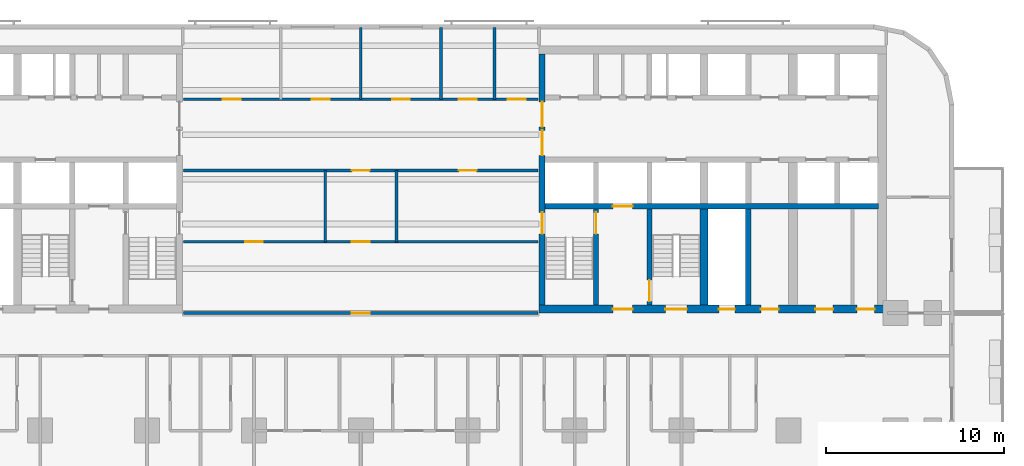
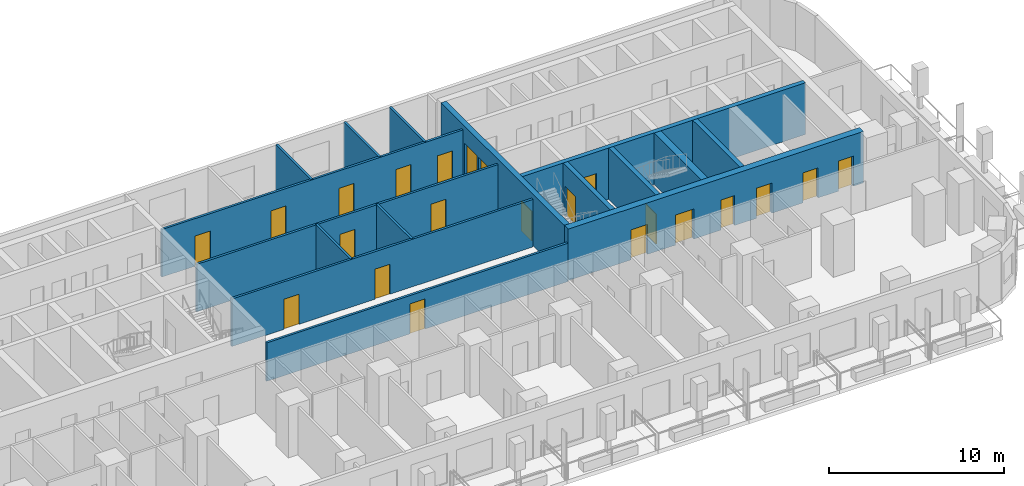
# One storey, part 6 of 13: 22 doors, 16 walls, 22 openings.
"""IFC4 building model written with IfcOpenShell, lengths in metres."""

from ifc_helpers import new_model, si_unit, direction, frame, frame_2d, origin, place, context, subcontext, project, spatial, rectangle, extrude, material, layer, layer_set, type_object, element, fill, save


model = new_model("IFC4")

# Units and contexts
model_context = context("Model", 3, precision=1e-05, world=origin(), true_north=direction((0.0, 1.0)))
body_context = subcontext(model_context, "Body", "Model", "MODEL_VIEW")
ifc_project = project(units=[si_unit("LENGTHUNIT", "METRE"), si_unit("AREAUNIT", "SQUARE_METRE"), si_unit("VOLUMEUNIT", "CUBIC_METRE"), si_unit("PLANEANGLEUNIT", "RADIAN"), si_unit("MASSUNIT", "GRAM", prefix="KILO")], contexts=[model_context])

# Site, building, storey
site_placement = place(None, origin())
site = spatial("IfcSite", under=ifc_project, at=site_placement, CompositionType="ELEMENT")
building_placement = place(site_placement, origin())
building = spatial("IfcBuilding", under=site, at=building_placement, Name="Torana Hotel and Residences", CompositionType="ELEMENT")
storey_placement = place(building_placement, frame((0.0, 0.0, 81.60009765625)))
storey = spatial("IfcBuildingStorey", under=building, at=storey_placement, Name="L20", CompositionType="ELEMENT", Elevation=81.60009765625)

# Wall, opening, door
ifc_material_1 = material(Name="Concrete C80/95", Category="concrete")
ifc_layer_1 = layer(ifc_material_1, 0.300048828125)
ifc_layer_set_1 = layer_set([ifc_layer_1], Name="CORE WALL 300 C80/95")
wall_type_1 = type_object("IfcWallType", Name="CORE WALL 300 C80/95", PredefinedType="SHEAR", material=ifc_layer_set_1)
wall_1_placement = place(storey_placement, frame((10.35009765625, -9.0, 0.0), z_axis=(0.0, 0.0, 1.0), x_axis=(1.0, 0.0, 0.0)))
wall_1 = element("IfcWall", 1, at=wall_1_placement, inside=storey, type_object=wall_type_1, Name="Core wall E band", PredefinedType="SHEAR", context=body_context, shape_type="SweptSolid", body=[
    extrude(rectangle(XDim=18.699951171875, YDim=0.300048828125, at=frame_2d((9.35009765625, 0.0))), origin(), (0.0, 0.0, 1.0), 3.599853515625),
])
opening_1_placement = place(wall_1_placement, frame((3.800048828125, 0.0, 0.0)))
opening_1 = element("IfcOpeningElement", 2, at=opening_1_placement, cuts=wall_1, Name="Opening LD", PredefinedType="OPENING", context=body_context, shape_type="SweptSolid", body=[
    extrude(rectangle(XDim=1.10009765625, YDim=2.10009765625, at=frame_2d((0.550048828125, 1.050048828125))), frame((0.0, 0.159912109375, 0.0), z_axis=(0.0, -1.0, 0.0), x_axis=(1.0, 0.0, 0.0)), (0.0, 0.0, 1.0), 0.320068359375),
])
ifc_material_2 = material(Name="Stainless steel 316", Category="steel")
door_type_1 = type_object("IfcDoorType", Name="LIFT LANDING DOOR LD 1100x2100", OperationType="DOUBLE_DOOR_SLIDING", PredefinedType="USERDEFINED", material=ifc_material_2)
door_1_placement = place(opening_1_placement, origin())
door_1 = element("IfcDoor", 3, at=door_1_placement, inside=storey, type_object=door_type_1, Name="Lift landing door FF2 L20", ObjectType="LIFT LANDING DOOR", OperationType="DOUBLE_DOOR_SLIDING", OverallHeight=2.10009765625, OverallWidth=1.10009765625, PredefinedType="USERDEFINED", context=body_context, shape_type="SweptSolid", body=[
    extrude(rectangle(XDim=1.10009765625, YDim=2.10009765625, at=frame_2d((0.550048828125, 1.050048828125))), frame((0.0, 0.02490234375, 0.0), z_axis=(0.0, -1.0, 0.0), x_axis=(1.0, 0.0, 0.0)), (0.0, 0.0, 1.0), 0.050048828125),
])
fill(opening_1, door_1)

wall_2_placement = place(storey_placement, frame((13.199951171875, -14.550048828125, 0.0), z_axis=(0.0, 0.0, 1.0), x_axis=(0.0, 1.0, 0.0)))
wall_2 = element("IfcWall", 4, at=wall_2_placement, inside=storey, type_object=wall_type_1, Name="Core wall E x3.05-band", PredefinedType="SHEAR", context=body_context, shape_type="SweptSolid", body=[
    extrude(rectangle(XDim=5.400146484375, YDim=0.300048828125, at=frame_2d((2.7001953125, 0.0))), origin(), (0.0, 0.0, 1.0), 3.599853515625),
])
opening_2_placement = place(wall_2_placement, frame((4.0, 0.0, 0.0)))
opening_2 = element("IfcOpeningElement", 5, at=opening_2_placement, cuts=wall_2, Name="Opening L20-35", PredefinedType="OPENING", context=body_context, shape_type="SweptSolid", body=[
    extrude(rectangle(XDim=1.199951171875, YDim=2.10009765625, at=frame_2d((0.60009765625, 1.050048828125))), frame((0.0, 0.159912109375, 0.0), z_axis=(0.0, -1.0, 0.0), x_axis=(1.0, 0.0, 0.0)), (0.0, 0.0, 1.0), 0.320068359375),
])
ifc_material_3 = material(Name="Steel S235", Category="steel")
door_type_2 = type_object("IfcDoorType", Name="STAIR FIRE DOOR D3 1200x2100", OperationType="SINGLE_SWING_LEFT", PredefinedType="DOOR", material=ifc_material_3)
door_2_placement = place(opening_2_placement, origin())
door_2 = element("IfcDoor", 6, at=door_2_placement, inside=storey, type_object=door_type_2, Name="Stair-A-lobby door L20", OperationType="SINGLE_SWING_LEFT", OverallHeight=2.10009765625, OverallWidth=1.199951171875, PredefinedType="DOOR", context=body_context, shape_type="SweptSolid", body=[
    extrude(rectangle(XDim=1.199951171875, YDim=2.10009765625, at=frame_2d((0.60009765625, 1.050048828125))), frame((0.0, 0.02490234375, 0.0), z_axis=(0.0, -1.0, 0.0), x_axis=(1.0, 0.0, 0.0)), (0.0, 0.0, 1.0), 0.050048828125),
])
fill(opening_2, door_2)

wall_3_placement = place(storey_placement, frame((16.199951171875, -14.550048828125, 0.0), z_axis=(0.0, 0.0, 1.0), x_axis=(0.0, 1.0, 0.0)))
wall_3 = element("IfcWall", 7, at=wall_3_placement, inside=storey, type_object=wall_type_1, Name="Core wall E x6.05-band", PredefinedType="SHEAR", context=body_context, shape_type="SweptSolid", body=[
    extrude(rectangle(XDim=5.400146484375, YDim=0.300048828125, at=frame_2d((2.7001953125, 0.0))), origin(), (0.0, 0.0, 1.0), 3.599853515625),
])
opening_3_placement = place(wall_3_placement, frame((0.199951171875, 0.0, 0.0)))
opening_3 = element("IfcOpeningElement", 8, at=opening_3_placement, cuts=wall_3, Name="Opening L20-36", PredefinedType="OPENING", context=body_context, shape_type="SweptSolid", body=[
    extrude(rectangle(XDim=1.199951171875, YDim=2.10009765625, at=frame_2d((0.60009765625, 1.050048828125))), frame((0.0, 0.159912109375, 0.0), z_axis=(0.0, -1.0, 0.0), x_axis=(1.0, 0.0, 0.0)), (0.0, 0.0, 1.0), 0.320068359375),
])
door_3_placement = place(opening_3_placement, frame((0.60009765625, 0.0, 0.0), z_axis=(0.0, 0.0, 1.0), x_axis=(-1.0, 0.0, 0.0)))
door_3 = element("IfcDoor", 9, at=door_3_placement, inside=storey, type_object=door_type_2, Name="Stair-B-lobby door L20", OperationType="SINGLE_SWING_LEFT", OverallHeight=2.10009765625, OverallWidth=1.199951171875, PredefinedType="DOOR", context=body_context, shape_type="SweptSolid", body=[
    extrude(rectangle(XDim=1.199951171875, YDim=2.10009765625, at=frame_2d((0.0, 1.050048828125))), frame((0.0, -0.02490234375, 0.0), z_axis=(0.0, 1.0, 0.0), x_axis=(-1.0, 0.0, 0.0)), (0.0, 0.0, 1.0), 0.050048828125),
])
fill(opening_3, door_3)

# Wall
wall_4_placement = place(storey_placement, frame((21.75, -14.550048828125, 0.0), z_axis=(0.0, 0.0, 1.0), x_axis=(0.0, 1.0, 0.0)))
element("IfcWall", 10, at=wall_4_placement, inside=storey, type_object=wall_type_1, Name="Core wall E mm-band", PredefinedType="SHEAR", context=body_context, shape_type="SweptSolid", body=[
    extrude(rectangle(XDim=5.400146484375, YDim=0.300048828125, at=frame_2d((2.7001953125, 0.0))), origin(), (0.0, 0.0, 1.0), 3.599853515625),
])

# Wall, openings, doors
ifc_material_4 = material(Name="Concrete C80/95", Category="concrete")
ifc_layer_2 = layer(ifc_material_4, 0.35009765625)
ifc_layer_set_2 = layer_set([ifc_layer_2], Name="CORE WALL 350 C80/95")
wall_type_2 = type_object("IfcWallType", Name="CORE WALL 350 C80/95", PredefinedType="SHEAR", material=ifc_layer_set_2)
wall_5_placement = place(storey_placement, frame((10.175048828125, -14.550048828125, 0.0), z_axis=(0.0, 0.0, 1.0), x_axis=(0.0, 1.0, 0.0)))
wall_5 = element("IfcWall", 11, at=wall_5_placement, inside=storey, type_object=wall_type_2, Name="Core wall E arch", PredefinedType="SHEAR", context=body_context, shape_type="SweptSolid", body=[
    extrude(rectangle(XDim=14.10009765625, YDim=0.35009765625, at=frame_2d((7.050048828125, 0.0))), origin(), (0.0, 0.0, 1.0), 3.599853515625),
])
opening_4_placement = place(wall_5_placement, frame((8.39990234375, 0.0, 0.0)))
opening_4 = element("IfcOpeningElement", 12, at=opening_4_placement, cuts=wall_5, Name="Opening L20-19", PredefinedType="OPENING", context=body_context, shape_type="SweptSolid", body=[
    extrude(rectangle(XDim=1.39990234375, YDim=2.39990234375, at=frame_2d((0.699951171875, 1.199951171875))), frame((0.0, 0.18505859375, 0.0), z_axis=(0.0, -1.0, 0.0), x_axis=(1.0, 0.0, 0.0)), (0.0, 0.0, 1.0), 0.3701171875),
])
opening_5_placement = place(wall_5_placement, frame((10.0, 0.0, 0.0)))
opening_5 = element("IfcOpeningElement", 13, at=opening_5_placement, cuts=wall_5, Name="Opening L20-20", PredefinedType="OPENING", context=body_context, shape_type="SweptSolid", body=[
    extrude(rectangle(XDim=1.39990234375, YDim=2.39990234375, at=frame_2d((0.699951171875, 1.199951171875))), frame((0.0, 0.18505859375, 0.0), z_axis=(0.0, -1.0, 0.0), x_axis=(1.0, 0.0, 0.0)), (0.0, 0.0, 1.0), 0.3701171875),
])
opening_6_placement = place(wall_5_placement, frame((4.0, 0.0, 0.0)))
opening_6 = element("IfcOpeningElement", 14, at=opening_6_placement, cuts=wall_5, Name="Opening L20-21", PredefinedType="OPENING", context=body_context, shape_type="SweptSolid", body=[
    extrude(rectangle(XDim=1.199951171875, YDim=2.10009765625, at=frame_2d((0.60009765625, 1.050048828125))), frame((0.0, 0.18505859375, 0.0), z_axis=(0.0, -1.0, 0.0), x_axis=(1.0, 0.0, 0.0)), (0.0, 0.0, 1.0), 0.3701171875),
])
ifc_material_5 = material(Name="Steel S235", Category="steel")
door_type_3 = type_object("IfcDoorType", Name="LOBBY FIRE DOOR D4 1400x2400", OperationType="DOUBLE_DOOR_SINGLE_SWING", PredefinedType="DOOR", material=ifc_material_5)
door_4_placement = place(opening_4_placement, origin())
door_4 = element("IfcDoor", 15, at=door_4_placement, inside=storey, type_object=door_type_3, Name="Lobby-1 door L20", OperationType="DOUBLE_DOOR_SINGLE_SWING", OverallHeight=2.39990234375, OverallWidth=1.39990234375, PredefinedType="DOOR", context=body_context, shape_type="SweptSolid", body=[
    extrude(rectangle(XDim=1.39990234375, YDim=2.39990234375, at=frame_2d((0.699951171875, 1.199951171875))), frame((0.0, 0.02490234375, 0.0), z_axis=(0.0, -1.0, 0.0), x_axis=(1.0, 0.0, 0.0)), (0.0, 0.0, 1.0), 0.050048828125),
])
fill(opening_4, door_4)
door_5_placement = place(opening_5_placement, origin())
door_5 = element("IfcDoor", 16, at=door_5_placement, inside=storey, type_object=door_type_3, Name="Lobby-2 door L20", OperationType="DOUBLE_DOOR_SINGLE_SWING", OverallHeight=2.39990234375, OverallWidth=1.39990234375, PredefinedType="DOOR", context=body_context, shape_type="SweptSolid", body=[
    extrude(rectangle(XDim=1.39990234375, YDim=2.39990234375, at=frame_2d((0.699951171875, 1.199951171875))), frame((0.0, 0.02490234375, 0.0), z_axis=(0.0, -1.0, 0.0), x_axis=(1.0, 0.0, 0.0)), (0.0, 0.0, 1.0), 0.050048828125),
])
fill(opening_5, door_5)
door_6_placement = place(opening_6_placement, frame((0.60009765625, 0.0, 0.0), z_axis=(0.0, 0.0, 1.0), x_axis=(-1.0, 0.0, 0.0)))
door_6 = element("IfcDoor", 17, at=door_6_placement, inside=storey, type_object=door_type_2, Name="Stair-A door L20", OperationType="SINGLE_SWING_RIGHT", OverallHeight=2.10009765625, OverallWidth=1.199951171875, PredefinedType="DOOR", context=body_context, shape_type="SweptSolid", body=[
    extrude(rectangle(XDim=1.199951171875, YDim=2.10009765625, at=frame_2d((0.0, 1.050048828125))), frame((0.0, -0.02490234375, 0.0), z_axis=(0.0, 1.0, 0.0), x_axis=(-1.0, 0.0, 0.0)), (0.0, 0.0, 1.0), 0.050048828125),
])
fill(opening_6, door_6)

ifc_material_6 = material(Name="Concrete C80/95", Category="concrete")
ifc_layer_3 = layer(ifc_material_6, 0.449951171875)
ifc_layer_set_3 = layer_set([ifc_layer_3], Name="CORE WALL 450 C80/95")
wall_type_3 = type_object("IfcWallType", Name="CORE WALL 450 C80/95", PredefinedType="SHEAR", material=ifc_layer_set_3)
wall_6_placement = place(storey_placement, frame((10.0, -14.77490234375, 0.0), z_axis=(0.0, 0.0, 1.0), x_axis=(1.0, 0.0, 0.0)))
wall_6 = element("IfcWall", 18, at=wall_6_placement, inside=storey, type_object=wall_type_3, Name="Core wall E front", PredefinedType="SHEAR", context=body_context, shape_type="SweptSolid", body=[
    extrude(rectangle(XDim=19.5, YDim=0.449951171875, at=frame_2d((9.75, 0.0))), origin(), (0.0, 0.0, 1.0), 3.599853515625),
])
opening_7_placement = place(wall_6_placement, frame((7.10009765625, 0.0, 0.0)))
opening_7 = element("IfcOpeningElement", 19, at=opening_7_placement, cuts=wall_6, Name="Opening L20-22", PredefinedType="OPENING", context=body_context, shape_type="SweptSolid", body=[
    extrude(rectangle(XDim=1.199951171875, YDim=2.10009765625, at=frame_2d((0.60009765625, 1.050048828125))), frame((0.0, 0.23486328125, 0.0), z_axis=(0.0, -1.0, 0.0), x_axis=(1.0, 0.0, 0.0)), (0.0, 0.0, 1.0), 0.469970703125),
])
opening_8_placement = place(wall_6_placement, frame((4.14990234375, 0.0, 0.0)))
opening_8 = element("IfcOpeningElement", 20, at=opening_8_placement, cuts=wall_6, Name="Opening L20-23", PredefinedType="OPENING", context=body_context, shape_type="SweptSolid", body=[
    extrude(rectangle(XDim=1.10009765625, YDim=2.10009765625, at=frame_2d((0.550048828125, 1.050048828125))), frame((0.0, 0.23486328125, 0.0), z_axis=(0.0, -1.0, 0.0), x_axis=(1.0, 0.0, 0.0)), (0.0, 0.0, 1.0), 0.469970703125),
])
opening_9_placement = place(wall_6_placement, frame((10.10009765625, 0.0, 0.0)))
opening_9 = element("IfcOpeningElement", 21, at=opening_9_placement, cuts=wall_6, Name="Opening L20-24", PredefinedType="OPENING", context=body_context, shape_type="SweptSolid", body=[
    extrude(rectangle(XDim=0.89990234375, YDim=2.10009765625, at=frame_2d((0.449951171875, 1.050048828125))), frame((0.0, 0.23486328125, 0.0), z_axis=(0.0, -1.0, 0.0), x_axis=(1.0, 0.0, 0.0)), (0.0, 0.0, 1.0), 0.469970703125),
])
opening_10_placement = place(wall_6_placement, frame((12.449951171875, 0.0, 0.0)))
opening_10 = element("IfcOpeningElement", 22, at=opening_10_placement, cuts=wall_6, Name="Opening L20-25", PredefinedType="OPENING", context=body_context, shape_type="SweptSolid", body=[
    extrude(rectangle(XDim=1.0, YDim=2.10009765625, at=frame_2d((0.5, 1.050048828125))), frame((0.0, 0.23486328125, 0.0), z_axis=(0.0, -1.0, 0.0), x_axis=(1.0, 0.0, 0.0)), (0.0, 0.0, 1.0), 0.469970703125),
])
opening_11_placement = place(wall_6_placement, frame((15.512451171875, 0.0, 0.0)))
opening_11 = element("IfcOpeningElement", 23, at=opening_11_placement, cuts=wall_6, Name="Opening L20-26", PredefinedType="OPENING", context=body_context, shape_type="SweptSolid", body=[
    extrude(rectangle(XDim=1.0, YDim=2.10009765625, at=frame_2d((0.5, 1.050048828125))), frame((0.0, 0.23486328125, 0.0), z_axis=(0.0, -1.0, 0.0), x_axis=(1.0, 0.0, 0.0)), (0.0, 0.0, 1.0), 0.469970703125),
])
opening_12_placement = place(wall_6_placement, frame((17.83740234375, 0.0, 0.0)))
opening_12 = element("IfcOpeningElement", 24, at=opening_12_placement, cuts=wall_6, Name="Opening L20-27", PredefinedType="OPENING", context=body_context, shape_type="SweptSolid", body=[
    extrude(rectangle(XDim=1.0, YDim=2.10009765625, at=frame_2d((0.5, 1.050048828125))), frame((0.0, 0.23486328125, 0.0), z_axis=(0.0, -1.0, 0.0), x_axis=(1.0, 0.0, 0.0)), (0.0, 0.0, 1.0), 0.469970703125),
])
ifc_material_7 = material(Name="Steel S235", Category="steel")
door_type_4 = type_object("IfcDoorType", Name="CORE ROOM FIRE DOOR D14 1000x2100", OperationType="SINGLE_SWING_LEFT", PredefinedType="DOOR", material=ifc_material_7)
door_7_placement = place(opening_10_placement, origin())
door_7 = element("IfcDoor", 25, at=door_7_placement, inside=storey, type_object=door_type_4, Name="M-Room door L20", OperationType="SINGLE_SWING_RIGHT", OverallHeight=2.10009765625, OverallWidth=1.0, PredefinedType="DOOR", context=body_context, shape_type="SweptSolid", body=[
    extrude(rectangle(XDim=1.0, YDim=2.10009765625, at=frame_2d((0.5, 1.050048828125))), frame((0.0, 0.02490234375, 0.0), z_axis=(0.0, -1.0, 0.0), x_axis=(1.0, 0.0, 0.0)), (0.0, 0.0, 1.0), 0.050048828125),
])
fill(opening_10, door_7)
door_8_placement = place(opening_11_placement, origin())
door_8 = element("IfcDoor", 26, at=door_8_placement, inside=storey, type_object=door_type_4, Name="L-A door L20", OperationType="SINGLE_SWING_RIGHT", OverallHeight=2.10009765625, OverallWidth=1.0, PredefinedType="DOOR", context=body_context, shape_type="SweptSolid", body=[
    extrude(rectangle(XDim=1.0, YDim=2.10009765625, at=frame_2d((0.5, 1.050048828125))), frame((0.0, 0.02490234375, 0.0), z_axis=(0.0, -1.0, 0.0), x_axis=(1.0, 0.0, 0.0)), (0.0, 0.0, 1.0), 0.050048828125),
])
fill(opening_11, door_8)
door_9_placement = place(opening_12_placement, origin())
door_9 = element("IfcDoor", 27, at=door_9_placement, inside=storey, type_object=door_type_4, Name="L-B door L20", OperationType="SINGLE_SWING_RIGHT", OverallHeight=2.10009765625, OverallWidth=1.0, PredefinedType="DOOR", context=body_context, shape_type="SweptSolid", body=[
    extrude(rectangle(XDim=1.0, YDim=2.10009765625, at=frame_2d((0.5, 1.050048828125))), frame((0.0, 0.02490234375, 0.0), z_axis=(0.0, -1.0, 0.0), x_axis=(1.0, 0.0, 0.0)), (0.0, 0.0, 1.0), 0.050048828125),
])
fill(opening_12, door_9)
ifc_material_8 = material(Name="Steel S235", Category="steel")
door_type_5 = type_object("IfcDoorType", Name="FIRE-FIGHTING LOBBY DOOR D8 1100x2100", OperationType="SINGLE_SWING_LEFT", PredefinedType="DOOR", material=ifc_material_8)
door_10_placement = place(opening_8_placement, origin())
door_10 = element("IfcDoor", 28, at=door_10_placement, inside=storey, type_object=door_type_5, Name="FF-lobby door L20", OperationType="SINGLE_SWING_RIGHT", OverallHeight=2.10009765625, OverallWidth=1.10009765625, PredefinedType="DOOR", context=body_context, shape_type="SweptSolid", body=[
    extrude(rectangle(XDim=1.10009765625, YDim=2.10009765625, at=frame_2d((0.550048828125, 1.050048828125))), frame((0.0, 0.02490234375, 0.0), z_axis=(0.0, -1.0, 0.0), x_axis=(1.0, 0.0, 0.0)), (0.0, 0.0, 1.0), 0.050048828125),
])
fill(opening_8, door_10)
ifc_material_9 = material(Name="Steel S235", Category="steel")
door_type_6 = type_object("IfcDoorType", Name="RISER ACCESS DOOR D5 900x2100", OperationType="SINGLE_SWING_LEFT", PredefinedType="DOOR", material=ifc_material_9)
door_11_placement = place(opening_9_placement, origin())
door_11 = element("IfcDoor", 29, at=door_11_placement, inside=storey, type_object=door_type_6, Name="M-Riser door L20", OperationType="SINGLE_SWING_RIGHT", OverallHeight=2.10009765625, OverallWidth=0.89990234375, PredefinedType="DOOR", context=body_context, shape_type="SweptSolid", body=[
    extrude(rectangle(XDim=0.89990234375, YDim=2.10009765625, at=frame_2d((0.449951171875, 1.050048828125))), frame((0.0, 0.02490234375, 0.0), z_axis=(0.0, -1.0, 0.0), x_axis=(1.0, 0.0, 0.0)), (0.0, 0.0, 1.0), 0.050048828125),
])
fill(opening_9, door_11)
door_12_placement = place(opening_7_placement, origin())
door_12 = element("IfcDoor", 30, at=door_12_placement, inside=storey, type_object=door_type_2, Name="Stair-B door L20", OperationType="SINGLE_SWING_RIGHT", OverallHeight=2.10009765625, OverallWidth=1.199951171875, PredefinedType="DOOR", context=body_context, shape_type="SweptSolid", body=[
    extrude(rectangle(XDim=1.199951171875, YDim=2.10009765625, at=frame_2d((0.60009765625, 1.050048828125))), frame((0.0, 0.02490234375, 0.0), z_axis=(0.0, -1.0, 0.0), x_axis=(1.0, 0.0, 0.0)), (0.0, 0.0, 1.0), 0.050048828125),
])
fill(opening_7, door_12)

# Walls
wall_7_placement = place(storey_placement, frame((19.27490234375, -14.550048828125, 0.0), z_axis=(0.0, 0.0, 1.0), x_axis=(0.0, 1.0, 0.0)))
element("IfcWall", 31, at=wall_7_placement, inside=storey, type_object=wall_type_3, Name="Core wall E hm-band", PredefinedType="SHEAR", context=body_context, shape_type="SweptSolid", body=[
    extrude(rectangle(XDim=5.400146484375, YDim=0.449951171875, at=frame_2d((2.7001953125, 0.0))), origin(), (0.0, 0.0, 1.0), 3.599853515625),
])
ifc_material_10 = material(Name="Gypsum plaster")
ifc_layer_4 = layer(ifc_material_10, 0.014892578125, Name="Plaster", Category="finish")
ifc_material_11 = material(Name="Concrete blockwork", Category="masonry")
ifc_layer_5 = layer(ifc_material_11, 0.1201171875, Name="Blockwork", Category="structure")
ifc_layer_6 = layer(ifc_material_10, 0.014892578125, Name="Plaster", Category="finish")
ifc_layer_set_4 = layer_set([ifc_layer_4, ifc_layer_5, ifc_layer_6], Name="FIRE PARTITION 150 BLOCKWORK")
wall_type_4 = type_object("IfcWallType", Name="FIRE PARTITION 150 BLOCKWORK", PredefinedType="PARTITIONING", material=ifc_layer_set_4)
for number, where, z_axis, x_axis, name in (
    (32, (2.0, -11.0, 0.0), (0.0, 0.0, 1.0), (0.0, 1.0, 0.0), "Partition L20"),
    (33, (-2.0, -11.0, 0.0), (0.0, 0.0, 1.0), (0.0, 1.0, 0.0), "Partition L20"),
):
    element("IfcWall", number, at=place(storey_placement, frame(where, z_axis=z_axis, x_axis=x_axis)), inside=storey, type_object=wall_type_4, Name=name, PredefinedType="PARTITIONING", context=body_context, shape_type="SweptSolid", body=[
        extrude(rectangle(XDim=4.0, YDim=0.14990234375, at=frame_2d((2.0, 0.0))), origin(), (0.0, 0.0, 1.0), 3.31982421875),
    ])

# Wall, opening, door
wall_8_placement = place(storey_placement, frame((-9.949951171875, -15.0, 0.0), z_axis=(0.0, 0.0, 1.0), x_axis=(1.0, 0.0, 0.0)))
wall_8 = element("IfcWall", 34, at=wall_8_placement, inside=storey, type_object=wall_type_4, Name="Partition L20", PredefinedType="PARTITIONING", context=body_context, shape_type="SweptSolid", body=[
    extrude(rectangle(XDim=19.89990234375, YDim=0.14990234375, at=frame_2d((9.949951171875, 0.0))), origin(), (0.0, 0.0, 1.0), 2.683837890625),
])
opening_13_placement = place(wall_8_placement, frame((9.449951171875, 0.0, 0.0)))
opening_13 = element("IfcOpeningElement", 35, at=opening_13_placement, cuts=wall_8, Name="Opening L20-37", PredefinedType="OPENING", context=body_context, shape_type="SweptSolid", body=[
    extrude(rectangle(XDim=1.0, YDim=2.10009765625, at=frame_2d((0.5, 1.050048828125))), frame((0.0, 0.0849609375, 0.0), z_axis=(0.0, -1.0, 0.0), x_axis=(1.0, 0.0, 0.0)), (0.0, 0.0, 1.0), 0.169921875),
])
ifc_material_12 = material(Name="Steel S235", Category="steel")
door_type_7 = type_object("IfcDoorType", Name="ENTRY FIRE DOOR D6 1000x2100", OperationType="SINGLE_SWING_LEFT", PredefinedType="DOOR", material=ifc_material_12)
door_13_placement = place(opening_13_placement, origin())
door_13 = element("IfcDoor", 36, at=door_13_placement, inside=storey, type_object=door_type_7, Name="Door L20", OperationType="SINGLE_SWING_RIGHT", OverallHeight=2.10009765625, OverallWidth=1.0, PredefinedType="DOOR", context=body_context, shape_type="SweptSolid", body=[
    extrude(rectangle(XDim=1.0, YDim=2.10009765625, at=frame_2d((0.5, 1.050048828125))), frame((0.0, 0.02490234375, 0.0), z_axis=(0.0, -1.0, 0.0), x_axis=(1.0, 0.0, 0.0)), (0.0, 0.0, 1.0), 0.050048828125),
])
fill(opening_13, door_13)

# Wall, openings, doors
wall_9_placement = place(storey_placement, frame((-9.949951171875, -11.0, 0.0), z_axis=(0.0, 0.0, 1.0), x_axis=(1.0, 0.0, 0.0)))
wall_9 = element("IfcWall", 37, at=wall_9_placement, inside=storey, type_object=wall_type_4, Name="Partition L20", PredefinedType="PARTITIONING", context=body_context, shape_type="SweptSolid", body=[
    extrude(rectangle(XDim=19.89990234375, YDim=0.14990234375, at=frame_2d((9.949951171875, 0.0))), origin(), (0.0, 0.0, 1.0), 3.31982421875),
])
opening_14_placement = place(wall_9_placement, frame((9.449951171875, 0.0, 0.0)))
opening_14 = element("IfcOpeningElement", 38, at=opening_14_placement, cuts=wall_9, Name="Opening L20-52", PredefinedType="OPENING", context=body_context, shape_type="SweptSolid", body=[
    extrude(rectangle(XDim=1.0, YDim=2.10009765625, at=frame_2d((0.5, 1.050048828125))), frame((0.0, 0.0849609375, 0.0), z_axis=(0.0, -1.0, 0.0), x_axis=(1.0, 0.0, 0.0)), (0.0, 0.0, 1.0), 0.169921875),
])
opening_15_placement = place(wall_9_placement, frame((3.449951171875, 0.0, 0.0)))
opening_15 = element("IfcOpeningElement", 39, at=opening_15_placement, cuts=wall_9, Name="Opening L20-53", PredefinedType="OPENING", context=body_context, shape_type="SweptSolid", body=[
    extrude(rectangle(XDim=1.0, YDim=2.10009765625, at=frame_2d((0.5, 1.050048828125))), frame((0.0, 0.0849609375, 0.0), z_axis=(0.0, -1.0, 0.0), x_axis=(1.0, 0.0, 0.0)), (0.0, 0.0, 1.0), 0.169921875),
])
door_14_placement = place(opening_14_placement, origin())
door_14 = element("IfcDoor", 40, at=door_14_placement, inside=storey, type_object=door_type_7, Name="Door L20", OperationType="SINGLE_SWING_RIGHT", OverallHeight=2.10009765625, OverallWidth=1.0, PredefinedType="DOOR", context=body_context, shape_type="SweptSolid", body=[
    extrude(rectangle(XDim=1.0, YDim=2.10009765625, at=frame_2d((0.5, 1.050048828125))), frame((0.0, 0.02490234375, 0.0), z_axis=(0.0, -1.0, 0.0), x_axis=(1.0, 0.0, 0.0)), (0.0, 0.0, 1.0), 0.050048828125),
])
fill(opening_14, door_14)
door_15_placement = place(opening_15_placement, origin())
door_15 = element("IfcDoor", 41, at=door_15_placement, inside=storey, type_object=door_type_7, Name="Door L20", OperationType="SINGLE_SWING_RIGHT", OverallHeight=2.10009765625, OverallWidth=1.0, PredefinedType="DOOR", context=body_context, shape_type="SweptSolid", body=[
    extrude(rectangle(XDim=1.0, YDim=2.10009765625, at=frame_2d((0.5, 1.050048828125))), frame((0.0, 0.02490234375, 0.0), z_axis=(0.0, -1.0, 0.0), x_axis=(1.0, 0.0, 0.0)), (0.0, 0.0, 1.0), 0.050048828125),
])
fill(opening_15, door_15)

wall_10_placement = place(storey_placement, frame((-9.949951171875, -7.0, 0.0), z_axis=(0.0, 0.0, 1.0), x_axis=(1.0, 0.0, 0.0)))
wall_10 = element("IfcWall", 42, at=wall_10_placement, inside=storey, type_object=wall_type_4, Name="Partition L20", PredefinedType="PARTITIONING", context=body_context, shape_type="SweptSolid", body=[
    extrude(rectangle(XDim=19.89990234375, YDim=0.14990234375, at=frame_2d((9.949951171875, 0.0))), origin(), (0.0, 0.0, 1.0), 3.31982421875),
])
opening_16_placement = place(wall_10_placement, frame((9.449951171875, 0.0, 0.0)))
opening_16 = element("IfcOpeningElement", 43, at=opening_16_placement, cuts=wall_10, Name="Opening L20-54", PredefinedType="OPENING", context=body_context, shape_type="SweptSolid", body=[
    extrude(rectangle(XDim=1.0, YDim=2.10009765625, at=frame_2d((0.5, 1.050048828125))), frame((0.0, 0.0849609375, 0.0), z_axis=(0.0, -1.0, 0.0), x_axis=(1.0, 0.0, 0.0)), (0.0, 0.0, 1.0), 0.169921875),
])
opening_17_placement = place(wall_10_placement, frame((15.449951171875, 0.0, 0.0)))
opening_17 = element("IfcOpeningElement", 44, at=opening_17_placement, cuts=wall_10, Name="Opening L20-55", PredefinedType="OPENING", context=body_context, shape_type="SweptSolid", body=[
    extrude(rectangle(XDim=1.0, YDim=2.10009765625, at=frame_2d((0.5, 1.050048828125))), frame((0.0, 0.0849609375, 0.0), z_axis=(0.0, -1.0, 0.0), x_axis=(1.0, 0.0, 0.0)), (0.0, 0.0, 1.0), 0.169921875),
])
door_16_placement = place(opening_16_placement, origin())
door_16 = element("IfcDoor", 45, at=door_16_placement, inside=storey, type_object=door_type_7, Name="Door L20", OperationType="SINGLE_SWING_RIGHT", OverallHeight=2.10009765625, OverallWidth=1.0, PredefinedType="DOOR", context=body_context, shape_type="SweptSolid", body=[
    extrude(rectangle(XDim=1.0, YDim=2.10009765625, at=frame_2d((0.5, 1.050048828125))), frame((0.0, 0.02490234375, 0.0), z_axis=(0.0, -1.0, 0.0), x_axis=(1.0, 0.0, 0.0)), (0.0, 0.0, 1.0), 0.050048828125),
])
fill(opening_16, door_16)
door_17_placement = place(opening_17_placement, frame((0.5, 0.0, 0.0), z_axis=(0.0, 0.0, 1.0), x_axis=(-1.0, 0.0, 0.0)))
door_17 = element("IfcDoor", 46, at=door_17_placement, inside=storey, type_object=door_type_7, Name="Door L20", OperationType="SINGLE_SWING_LEFT", OverallHeight=2.10009765625, OverallWidth=1.0, PredefinedType="DOOR", context=body_context, shape_type="SweptSolid", body=[
    extrude(rectangle(XDim=1.0, YDim=2.10009765625, at=frame_2d((0.0, 1.050048828125))), frame((0.0, -0.02490234375, 0.0), z_axis=(0.0, 1.0, 0.0), x_axis=(-1.0, 0.0, 0.0)), (0.0, 0.0, 1.0), 0.050048828125),
])
fill(opening_17, door_17)

wall_11_placement = place(storey_placement, frame((-9.949951171875, -3.0, 0.0), z_axis=(0.0, 0.0, 1.0), x_axis=(1.0, 0.0, 0.0)))
wall_11 = element("IfcWall", 47, at=wall_11_placement, inside=storey, type_object=wall_type_4, Name="Partition L20", PredefinedType="PARTITIONING", context=body_context, shape_type="SweptSolid", body=[
    extrude(rectangle(XDim=19.89990234375, YDim=0.14990234375, at=frame_2d((9.949951171875, 0.0))), origin(), (0.0, 0.0, 1.0), 3.31982421875),
])
opening_18_placement = place(wall_11_placement, frame((2.199951171875, 0.0, 0.0)))
opening_18 = element("IfcOpeningElement", 48, at=opening_18_placement, cuts=wall_11, Name="Opening L20-56", PredefinedType="OPENING", context=body_context, shape_type="SweptSolid", body=[
    extrude(rectangle(XDim=1.0, YDim=2.10009765625, at=frame_2d((0.5, 1.050048828125))), frame((0.0, 0.0849609375, 0.0), z_axis=(0.0, -1.0, 0.0), x_axis=(1.0, 0.0, 0.0)), (0.0, 0.0, 1.0), 0.169921875),
])
opening_19_placement = place(wall_11_placement, frame((7.199951171875, 0.0, 0.0)))
opening_19 = element("IfcOpeningElement", 49, at=opening_19_placement, cuts=wall_11, Name="Opening L20-57", PredefinedType="OPENING", context=body_context, shape_type="SweptSolid", body=[
    extrude(rectangle(XDim=1.0, YDim=2.10009765625, at=frame_2d((0.5, 1.050048828125))), frame((0.0, 0.0849609375, 0.0), z_axis=(0.0, -1.0, 0.0), x_axis=(1.0, 0.0, 0.0)), (0.0, 0.0, 1.0), 0.169921875),
])
opening_20_placement = place(wall_11_placement, frame((11.699951171875, 0.0, 0.0)))
opening_20 = element("IfcOpeningElement", 50, at=opening_20_placement, cuts=wall_11, Name="Opening L20-58", PredefinedType="OPENING", context=body_context, shape_type="SweptSolid", body=[
    extrude(rectangle(XDim=1.0, YDim=2.10009765625, at=frame_2d((0.5, 1.050048828125))), frame((0.0, 0.0849609375, 0.0), z_axis=(0.0, -1.0, 0.0), x_axis=(1.0, 0.0, 0.0)), (0.0, 0.0, 1.0), 0.169921875),
])
opening_21_placement = place(wall_11_placement, frame((15.449951171875, 0.0, 0.0)))
opening_21 = element("IfcOpeningElement", 51, at=opening_21_placement, cuts=wall_11, Name="Opening L20-59", PredefinedType="OPENING", context=body_context, shape_type="SweptSolid", body=[
    extrude(rectangle(XDim=1.0, YDim=2.10009765625, at=frame_2d((0.5, 1.050048828125))), frame((0.0, 0.0849609375, 0.0), z_axis=(0.0, -1.0, 0.0), x_axis=(1.0, 0.0, 0.0)), (0.0, 0.0, 1.0), 0.169921875),
])
opening_22_placement = place(wall_11_placement, frame((18.199951171875, 0.0, 0.0)))
opening_22 = element("IfcOpeningElement", 52, at=opening_22_placement, cuts=wall_11, Name="Opening L20-60", PredefinedType="OPENING", context=body_context, shape_type="SweptSolid", body=[
    extrude(rectangle(XDim=1.0, YDim=2.10009765625, at=frame_2d((0.5, 1.050048828125))), frame((0.0, 0.0849609375, 0.0), z_axis=(0.0, -1.0, 0.0), x_axis=(1.0, 0.0, 0.0)), (0.0, 0.0, 1.0), 0.169921875),
])
door_18_placement = place(opening_18_placement, origin())
door_18 = element("IfcDoor", 53, at=door_18_placement, inside=storey, type_object=door_type_7, Name="Door L20", OperationType="SINGLE_SWING_RIGHT", OverallHeight=2.10009765625, OverallWidth=1.0, PredefinedType="DOOR", context=body_context, shape_type="SweptSolid", body=[
    extrude(rectangle(XDim=1.0, YDim=2.10009765625, at=frame_2d((0.5, 1.050048828125))), frame((0.0, 0.02490234375, 0.0), z_axis=(0.0, -1.0, 0.0), x_axis=(1.0, 0.0, 0.0)), (0.0, 0.0, 1.0), 0.050048828125),
])
fill(opening_18, door_18)
door_19_placement = place(opening_19_placement, origin())
door_19 = element("IfcDoor", 54, at=door_19_placement, inside=storey, type_object=door_type_7, Name="Door L20", OperationType="SINGLE_SWING_RIGHT", OverallHeight=2.10009765625, OverallWidth=1.0, PredefinedType="DOOR", context=body_context, shape_type="SweptSolid", body=[
    extrude(rectangle(XDim=1.0, YDim=2.10009765625, at=frame_2d((0.5, 1.050048828125))), frame((0.0, 0.02490234375, 0.0), z_axis=(0.0, -1.0, 0.0), x_axis=(1.0, 0.0, 0.0)), (0.0, 0.0, 1.0), 0.050048828125),
])
fill(opening_19, door_19)
door_20_placement = place(opening_20_placement, origin())
door_20 = element("IfcDoor", 55, at=door_20_placement, inside=storey, type_object=door_type_7, Name="Door L20", OperationType="SINGLE_SWING_RIGHT", OverallHeight=2.10009765625, OverallWidth=1.0, PredefinedType="DOOR", context=body_context, shape_type="SweptSolid", body=[
    extrude(rectangle(XDim=1.0, YDim=2.10009765625, at=frame_2d((0.5, 1.050048828125))), frame((0.0, 0.02490234375, 0.0), z_axis=(0.0, -1.0, 0.0), x_axis=(1.0, 0.0, 0.0)), (0.0, 0.0, 1.0), 0.050048828125),
])
fill(opening_20, door_20)
door_21_placement = place(opening_21_placement, origin())
door_21 = element("IfcDoor", 56, at=door_21_placement, inside=storey, type_object=door_type_7, Name="Door L20", OperationType="SINGLE_SWING_RIGHT", OverallHeight=2.10009765625, OverallWidth=1.0, PredefinedType="DOOR", context=body_context, shape_type="SweptSolid", body=[
    extrude(rectangle(XDim=1.0, YDim=2.10009765625, at=frame_2d((0.5, 1.050048828125))), frame((0.0, 0.02490234375, 0.0), z_axis=(0.0, -1.0, 0.0), x_axis=(1.0, 0.0, 0.0)), (0.0, 0.0, 1.0), 0.050048828125),
])
fill(opening_21, door_21)
door_22_placement = place(opening_22_placement, origin())
door_22 = element("IfcDoor", 57, at=door_22_placement, inside=storey, type_object=door_type_7, Name="Door L20", OperationType="SINGLE_SWING_RIGHT", OverallHeight=2.10009765625, OverallWidth=1.0, PredefinedType="DOOR", context=body_context, shape_type="SweptSolid", body=[
    extrude(rectangle(XDim=1.0, YDim=2.10009765625, at=frame_2d((0.5, 1.050048828125))), frame((0.0, 0.02490234375, 0.0), z_axis=(0.0, -1.0, 0.0), x_axis=(1.0, 0.0, 0.0)), (0.0, 0.0, 1.0), 0.050048828125),
])
fill(opening_22, door_22)

# Walls
ifc_material_13 = material(Name="Gypsum plasterboard")
ifc_layer_7 = layer(ifc_material_13, 0.012451171875, Name="Plasterboard", Category="finish")
ifc_layer_8 = layer(ifc_material_13, 0.012451171875, Name="Plasterboard", Category="finish")
ifc_material_14 = material(Name="Steel S280GD", Category="steel")
ifc_layer_9 = layer(ifc_material_14, 0.10009765625, Name="Steel studs with mineral wool", Category="insulation")
ifc_layer_10 = layer(ifc_material_13, 0.012451171875, Name="Plasterboard", Category="finish")
ifc_layer_11 = layer(ifc_material_13, 0.012451171875, Name="Plasterboard", Category="finish")
ifc_layer_set_5 = layer_set([ifc_layer_7, ifc_layer_8, ifc_layer_9, ifc_layer_10, ifc_layer_11], Name="PARTITION 150 PLASTERBOARD")
wall_type_5 = type_object("IfcWallType", Name="PARTITION 150 PLASTERBOARD", PredefinedType="PARTITIONING", material=ifc_layer_set_5)
wall_12_placement = place(storey_placement, frame((0.0, -3.0, 0.0), z_axis=(0.0, 0.0, 1.0), x_axis=(0.0, 1.0, 0.0)))
element("IfcWall", 58, at=wall_12_placement, inside=storey, type_object=wall_type_5, Name="Partition L20", PredefinedType="PARTITIONING", context=body_context, shape_type="SweptSolid", body=[
    extrude(rectangle(XDim=4.02001953125, YDim=0.14990234375, at=frame_2d((2.010009765625, 0.0))), origin(), (0.0, 0.0, 1.0), 3.31982421875),
])
ifc_material_15 = material(Name="Ceramic tile on adhesive")
ifc_layer_12 = layer(ifc_material_15, 0.010009765625, Name="Wall tile", Category="finish")
ifc_material_16 = material(Name="Cement render")
ifc_layer_13 = layer(ifc_material_16, 0.010009765625, Name="Render", Category="finish")
ifc_layer_14 = layer(ifc_material_11, 0.110107421875, Name="Blockwork", Category="structure")
ifc_layer_15 = layer(ifc_material_16, 0.010009765625, Name="Render", Category="finish")
ifc_layer_16 = layer(ifc_material_15, 0.010009765625, Name="Wall tile", Category="finish")
ifc_layer_set_6 = layer_set([ifc_layer_12, ifc_layer_13, ifc_layer_14, ifc_layer_15, ifc_layer_16], Name="WC PARTITION 150")
wall_type_6 = type_object("IfcWallType", Name="WC PARTITION 150", PredefinedType="PLUMBINGWALL", material=ifc_layer_set_6)
for number, where, z_axis, x_axis, name in (
    (59, (7.5, -3.0, 0.0), (0.0, 0.0, 1.0), (0.0, 1.0, 0.0), "Partition L20"),
    (60, (4.5, -3.0, 0.0), (0.0, 0.0, 1.0), (0.0, 1.0, 0.0), "Partition L20"),
):
    element("IfcWall", number, at=place(storey_placement, frame(where, z_axis=z_axis, x_axis=x_axis)), inside=storey, type_object=wall_type_6, Name=name, PredefinedType="PLUMBINGWALL", context=body_context, shape_type="SweptSolid", body=[
        extrude(rectangle(XDim=4.02001953125, YDim=0.14990234375, at=frame_2d((2.010009765625, 0.0))), origin(), (0.0, 0.0, 1.0), 3.31982421875),
    ])

save(model, "model.ifc")
